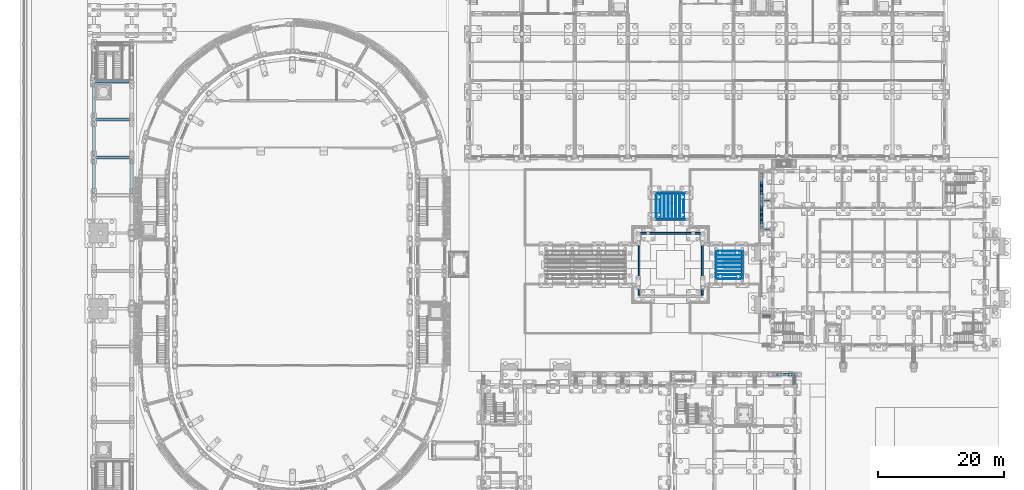
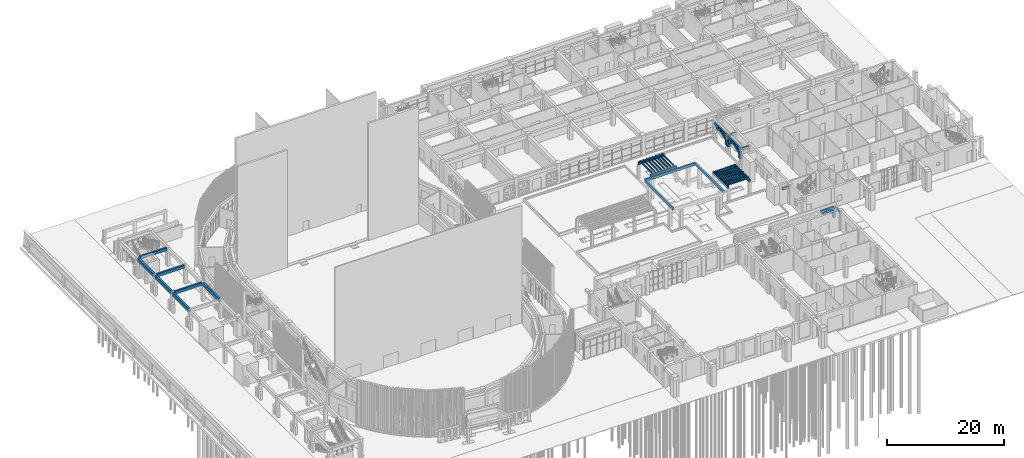
# One storey, part 30 of 112: 30 members, 21 beams.
"""IFC4 building model written with IfcOpenShell, lengths in metres."""

from ifc_helpers import new_model, si_unit, direction, frame, origin, origin_2d, place, context, subcontext, project, spatial, rectangle, extrude, material, material_profile, profile_set, type_object, element, save


model = new_model("IFC4")

# Units and contexts
model_context = context("Model", 3, precision=1e-05, world=origin(), true_north=direction((0.0, 1.0)))
body_context = subcontext(model_context, "Body", "Model", "MODEL_VIEW")
ifc_project = project(units=[si_unit("LENGTHUNIT", "METRE"), si_unit("AREAUNIT", "SQUARE_METRE"), si_unit("VOLUMEUNIT", "CUBIC_METRE"), si_unit("PLANEANGLEUNIT", "RADIAN"), si_unit("MASSUNIT", "GRAM", prefix="KILO")], contexts=[model_context])

# Site, building, storey
site_placement = place(None, origin())
site = spatial("IfcSite", under=ifc_project, at=site_placement, CompositionType="ELEMENT")
building_placement = place(site_placement, origin())
building = spatial("IfcBuilding", under=site, at=building_placement, Name="Wasatch Bagh Community Centre", CompositionType="ELEMENT")
storey_placement = place(building_placement, origin())
storey = spatial("IfcBuildingStorey", under=building, at=storey_placement, Name="L00", CompositionType="ELEMENT", Elevation=0.0)

# Beams
ifc_material_1 = material(Name="Concrete C35", Category="concrete")
ifc_material_profile_1 = material_profile(ifc_material_1, rectangle(XDim=0.300048828125, YDim=0.5, at=origin_2d()), Name="RC 300x500")
ifc_profile_set_1 = profile_set([ifc_material_profile_1], Name="Concrete C35")
beam_type_1 = type_object("IfcBeamType", Name="CL-B1", PredefinedType="BEAM", material=ifc_profile_set_1)
beam_1_placement = place(storey_placement, frame((112.77490234375, 33.550048828125, 3.60009765625), z_axis=(1.0, 0.0, 0.0), x_axis=(0.0, 1.0, 0.0)))
element("IfcBeam", 1, at=beam_1_placement, inside=storey, type_object=beam_type_1, Name="CL-B1 arcade edge beam KW 4", PredefinedType="BEAM", context=body_context, shape_type="SweptSolid", body=[
    extrude(rectangle(XDim=0.300048828125, YDim=0.5, at=origin_2d()), origin(), (0.0, 0.0, 1.0), 2.7001953125),
])
beam_2_placement = place(storey_placement, frame((110.449951171875, 56.824951171875, 3.60009765625), z_axis=(0.0, 1.0, 0.0), x_axis=(-1.0, 0.0, 0.0)))
element("IfcBeam", 2, at=beam_2_placement, inside=storey, type_object=beam_type_1, Name="CL-B1 arcade edge beam SH 1", PredefinedType="BEAM", context=body_context, shape_type="SweptSolid", body=[
    extrude(rectangle(XDim=0.300048828125, YDim=0.5, at=origin_2d()), origin(), (0.0, 0.0, 1.0), 4.150146484375),
])
beam_3_placement = place(storey_placement, frame((110.449951171875, 61.425048828125, 3.60009765625), z_axis=(0.0, 1.0, 0.0), x_axis=(-1.0, 0.0, 0.0)))
element("IfcBeam", 3, at=beam_3_placement, inside=storey, type_object=beam_type_1, Name="CL-B1 arcade edge beam SH 2", PredefinedType="BEAM", context=body_context, shape_type="SweptSolid", body=[
    extrude(rectangle(XDim=0.300048828125, YDim=0.5, at=origin_2d()), origin(), (0.0, 0.0, 1.0), 4.14990234375),
])
ifc_material_profile_2 = material_profile(ifc_material_1, rectangle(XDim=0.25, YDim=0.449951171875, at=origin_2d()), Name="RC 250x450")
ifc_profile_set_2 = profile_set([ifc_material_profile_2], Name="Concrete C35")
beam_type_2 = type_object("IfcBeamType", Name="CL-B2", PredefinedType="BEAM", material=ifc_profile_set_2)
beam_4_placement = place(storey_placement, frame((115.699951171875, 32.0, 3.625), z_axis=(0.0, 1.0, 0.0), x_axis=(-1.0, 0.0, 0.0)))
element("IfcBeam", 4, at=beam_4_placement, inside=storey, type_object=beam_type_2, Name="CL-B2 arcade cross beam KW 3", PredefinedType="BEAM", context=body_context, shape_type="SweptSolid", body=[
    extrude(rectangle(XDim=0.25, YDim=0.449951171875, at=origin_2d()), origin(), (0.0, 0.0, 1.0), 1.39990234375),
])
for number, where, z_axis, x_axis, name in (
    (5, (111.89990234375, 42.800048828125, 3.625), (-1.0, 0.0, 0.0), (0.0, -1.0, 0.0), "CL-B2 arcade cross beam SH 2"),
    (6, (111.89990234375, 56.60009765625, 3.625), (-1.0, 0.0, 0.0), (0.0, -1.0, 0.0), "CL-B2 arcade cross beam SH 5"),
    (7, (111.89990234375, 61.199951171875, 3.625), (-1.0, 0.0, 0.0), (0.0, -1.0, 0.0), "CL-B2 arcade cross beam SH 6"),
):
    element("IfcBeam", number, at=place(storey_placement, frame(where, z_axis=z_axis, x_axis=x_axis)), inside=storey, type_object=beam_type_2, Name=name, PredefinedType="BEAM", context=body_context, shape_type="SweptSolid", body=[
        extrude(rectangle(XDim=0.25, YDim=0.449951171875, at=origin_2d()), origin(), (0.0, 0.0, 1.0), 1.2998046875),
    ])

# Members
ifc_material_2 = material(Name="Concrete C40", Category="concrete")
ifc_material_profile_3 = material_profile(ifc_material_2, rectangle(XDim=0.5, YDim=0.5, at=origin_2d()), Name="RC 500x500")
ifc_profile_set_3 = profile_set([ifc_material_profile_3], Name="Concrete C40")
member_type_1 = type_object("IfcMemberType", Name="CL-R1", PredefinedType="MEMBER", material=ifc_profile_set_3)
for number, where, z_axis, x_axis, name in (
    (8, (113.227294921875, 33.550048828125, 3.01171875), (0.890630351015, 0.0, 0.454728026243), (0.0, 1.0, 0.0), "CL-R1 arch rib KW 4.3"),
    (9, (113.90234375, 33.550048828125, 3.583740234375), (0.890630351015, 0.0, -0.454728026243), (0.0, 1.0, 0.0), "CL-R1 arch rib KW 4.4"),
):
    element("IfcMember", number, at=place(storey_placement, frame(where, z_axis=z_axis, x_axis=x_axis)), inside=storey, type_object=member_type_1, Name=name, PredefinedType="MEMBER", context=body_context, shape_type="SweptSolid", body=[
        extrude(rectangle(XDim=0.5, YDim=0.5, at=origin_2d()), origin(), (0.0, 0.0, 1.0), 1.258056640625),
    ])
member_1_placement = place(storey_placement, frame((114.60693359375, 33.550048828125, 3.2841796875), z_axis=(0.772393099165, 0.0, -0.635144786929), x_axis=(0.0, 1.0, 0.0)))
element("IfcMember", 10, at=member_1_placement, inside=storey, type_object=member_type_1, Name="CL-R1 arch rib KW 4.5", PredefinedType="MEMBER", context=body_context, shape_type="SweptSolid", body=[
    extrude(rectangle(XDim=0.5, YDim=0.5, at=origin_2d()), origin(), (0.0, 0.0, 1.0), 1.232666015625),
])
member_2_placement = place(storey_placement, frame((115.332763671875, 33.550048828125, 2.90771484375), z_axis=(0.133268468573, 0.0, -0.991079974212), x_axis=(0.0, 1.0, 0.0)))
element("IfcMember", 11, at=member_2_placement, inside=storey, type_object=member_type_1, Name="CL-R1 arch rib KW 4.6", PredefinedType="MEMBER", context=body_context, shape_type="SweptSolid", body=[
    extrude(rectangle(XDim=0.5, YDim=0.5, at=origin_2d()), origin(), (0.0, 0.0, 1.0), 1.317138671875),
])
member_3_placement = place(storey_placement, frame((110.449951171875, 56.7744140625, 1.605224609375), z_axis=(0.0, 0.202550853272, 0.979271745655), x_axis=(-1.0, 0.0, 0.0)))
element("IfcMember", 12, at=member_3_placement, inside=storey, type_object=member_type_1, Name="CL-R1 arch rib SH 1.1", PredefinedType="MEMBER", context=body_context, shape_type="SweptSolid", body=[
    extrude(rectangle(XDim=0.5, YDim=0.5, at=origin_2d()), origin(), (0.0, 0.0, 1.0), 1.3271484375),
])
member_4_placement = place(storey_placement, frame((110.449951171875, 56.77197265625, 2.5419921875), z_axis=(0.0, 0.881738582439, 0.471738351461), x_axis=(-1.0, 0.0, 0.0)))
element("IfcMember", 13, at=member_4_placement, inside=storey, type_object=member_type_1, Name="CL-R1 arch rib SH 1.2", PredefinedType="MEMBER", context=body_context, shape_type="SweptSolid", body=[
    extrude(rectangle(XDim=0.5, YDim=0.5, at=origin_2d()), origin(), (0.0, 0.0, 1.0), 1.48681640625),
])
for number, where, z_axis, x_axis, name in (
    (14, (110.449951171875, 57.625244140625, 3.046630859375), (0.0, 0.949019888554, 0.315216197441), (-1.0, 0.0, 0.0), "CL-R1 arch rib SH 1.3"),
    (15, (110.449951171875, 58.662841796875, 3.548828125), (0.0, 0.949019888554, -0.315216197441), (-1.0, 0.0, 0.0), "CL-R1 arch rib SH 1.4"),
):
    element("IfcMember", number, at=place(storey_placement, frame(where, z_axis=z_axis, x_axis=x_axis)), inside=storey, type_object=member_type_1, Name=name, PredefinedType="MEMBER", context=body_context, shape_type="SweptSolid", body=[
        extrude(rectangle(XDim=0.5, YDim=0.5, at=origin_2d()), origin(), (0.0, 0.0, 1.0), 1.59326171875),
    ])
member_5_placement = place(storey_placement, frame((110.449951171875, 59.717041015625, 3.243408203125), z_axis=(0.0, 0.881738582439, -0.471738351461), x_axis=(-1.0, 0.0, 0.0)))
element("IfcMember", 16, at=member_5_placement, inside=storey, type_object=member_type_1, Name="CL-R1 arch rib SH 1.5", PredefinedType="MEMBER", context=body_context, shape_type="SweptSolid", body=[
    extrude(rectangle(XDim=0.5, YDim=0.5, at=origin_2d()), origin(), (0.0, 0.0, 1.0), 1.48681640625),
])
for number, where, z_axis, x_axis, name in (
    (17, (110.449951171875, 60.7568359375, 2.90478515625), (0.0, 0.202550853272, -0.979271745655), (-1.0, 0.0, 0.0), "CL-R1 arch rib SH 1.6"),
    (18, (110.449951171875, 61.374267578125, 1.605224609375), (0.0, 0.202550853272, 0.979271745655), (-1.0, 0.0, 0.0), "CL-R1 arch rib SH 2.1"),
):
    element("IfcMember", number, at=place(storey_placement, frame(where, z_axis=z_axis, x_axis=x_axis)), inside=storey, type_object=member_type_1, Name=name, PredefinedType="MEMBER", context=body_context, shape_type="SweptSolid", body=[
        extrude(rectangle(XDim=0.5, YDim=0.5, at=origin_2d()), origin(), (0.0, 0.0, 1.0), 1.3271484375),
    ])
member_6_placement = place(storey_placement, frame((110.449951171875, 61.3720703125, 2.5419921875), z_axis=(0.0, 0.881702034553, 0.471806657715), x_axis=(-1.0, 0.0, 0.0)))
element("IfcMember", 19, at=member_6_placement, inside=storey, type_object=member_type_1, Name="CL-R1 arch rib SH 2.2", PredefinedType="MEMBER", context=body_context, shape_type="SweptSolid", body=[
    extrude(rectangle(XDim=0.5, YDim=0.5, at=origin_2d()), origin(), (0.0, 0.0, 1.0), 1.486572265625),
])
for number, where, z_axis, x_axis, name in (
    (20, (110.449951171875, 62.225341796875, 3.046630859375), (0.0, 0.949019888554, 0.315216197441), (-1.0, 0.0, 0.0), "CL-R1 arch rib SH 2.3"),
    (21, (110.449951171875, 63.2626953125, 3.548828125), (0.0, 0.949019888554, -0.315216197441), (-1.0, 0.0, 0.0), "CL-R1 arch rib SH 2.4"),
):
    element("IfcMember", number, at=place(storey_placement, frame(where, z_axis=z_axis, x_axis=x_axis)), inside=storey, type_object=member_type_1, Name=name, PredefinedType="MEMBER", context=body_context, shape_type="SweptSolid", body=[
        extrude(rectangle(XDim=0.5, YDim=0.5, at=origin_2d()), origin(), (0.0, 0.0, 1.0), 1.59326171875),
    ])

# Beams
ifc_material_profile_4 = material_profile(ifc_material_1, rectangle(XDim=0.39990234375, YDim=0.699951171875, at=origin_2d()), Name="RC 400x700")
ifc_profile_set_4 = profile_set([ifc_material_profile_4], Name="Concrete C35")
beam_type_3 = type_object("IfcBeamType", Name="CT-B1", PredefinedType="BEAM", material=ifc_profile_set_4)
for number, where, z_axis, x_axis, name in (
    (22, (4.5, 62.25, 3.60009765625), (0.0, 1.0, 0.0), (-1.0, 0.0, 0.0), "CT.beam.L00.009"),
    (23, (4.5, 68.25, 3.60009765625), (0.0, 1.0, 0.0), (-1.0, 0.0, 0.0), "CT.beam.L00.010"),
    (24, (4.5, 74.25, 3.60009765625), (0.0, 1.0, 0.0), (-1.0, 0.0, 0.0), "CT.beam.L00.011"),
    (25, (10.5, 62.25, 3.60009765625), (0.0, 1.0, 0.0), (-1.0, 0.0, 0.0), "CT.beam.L00.021"),
):
    element("IfcBeam", number, at=place(storey_placement, frame(where, z_axis=z_axis, x_axis=x_axis)), inside=storey, type_object=beam_type_3, Name=name, PredefinedType="BEAM", context=body_context, shape_type="SweptSolid", body=[
        extrude(rectangle(XDim=0.39990234375, YDim=0.699951171875, at=origin_2d()), origin(), (0.0, 0.0, 1.0), 5.5),
    ])
ifc_material_profile_5 = material_profile(ifc_material_1, rectangle(XDim=0.35009765625, YDim=0.60009765625, at=origin_2d()), Name="RC 350x600")
ifc_profile_set_5 = profile_set([ifc_material_profile_5], Name="Concrete C35")
beam_type_4 = type_object("IfcBeamType", Name="CT-B2", PredefinedType="BEAM", material=ifc_profile_set_5)
for number, where, z_axis, x_axis, name in (
    (26, (4.75, 68.0, 3.64990234375), (1.0, 0.0, 0.0), (0.0, 1.0, 0.0), "CT.beam.L00.X035"),
    (27, (4.75, 74.0, 3.64990234375), (1.0, 0.0, 0.0), (0.0, 1.0, 0.0), "CT.beam.L00.X036"),
    (28, (4.75, 80.0, 3.64990234375), (1.0, 0.0, 0.0), (0.0, 1.0, 0.0), "CT.beam.L00.X037"),
):
    element("IfcBeam", number, at=place(storey_placement, frame(where, z_axis=z_axis, x_axis=x_axis)), inside=storey, type_object=beam_type_4, Name=name, PredefinedType="BEAM", context=body_context, shape_type="SweptSolid", body=[
        extrude(rectangle(XDim=0.35009765625, YDim=0.60009765625, at=origin_2d()), origin(), (0.0, 0.0, 1.0), 5.5),
    ])
ifc_material_profile_6 = material_profile(ifc_material_1, rectangle(XDim=0.300048828125, YDim=0.5, at=origin_2d()), Name="RC 300x500")
ifc_profile_set_6 = profile_set([ifc_material_profile_6], Name="Concrete C35")
beam_type_5 = type_object("IfcBeamType", Name="SITE-B1", PredefinedType="BEAM", material=ifc_profile_set_6)
beam_5_placement = place(storey_placement, frame((91.0, 56.0, 4.25), z_axis=(1.0, 0.0, 0.0), x_axis=(0.0, 1.0, 0.0)))
element("IfcBeam", 29, at=beam_5_placement, inside=storey, type_object=beam_type_5, Name="Baradari ring beam", PredefinedType="BEAM", context=body_context, shape_type="SweptSolid", body=[
    extrude(rectangle(XDim=0.300048828125, YDim=0.5, at=origin_2d()), origin(), (0.0, 0.0, 1.0), 10.0),
])
for number, where, z_axis, x_axis, name in (
    (30, (91.0, 46.14990234375, 4.25), (0.0, 1.0, 0.0), (-1.0, 0.0, 0.0), "Baradari ring beam"),
    (31, (101.0, 46.14990234375, 4.25), (0.0, 1.0, 0.0), (-1.0, 0.0, 0.0), "Baradari ring beam"),
):
    element("IfcBeam", number, at=place(storey_placement, frame(where, z_axis=z_axis, x_axis=x_axis)), inside=storey, type_object=beam_type_5, Name=name, PredefinedType="BEAM", context=body_context, shape_type="SweptSolid", body=[
        extrude(rectangle(XDim=0.300048828125, YDim=0.5, at=origin_2d()), origin(), (0.0, 0.0, 1.0), 9.7001953125),
    ])
for number, where, z_axis, x_axis, name in (
    (32, (103.199951171875, 48.449951171875, 3.050048828125), (0.0, 1.0, 0.0), (-1.0, 0.0, 0.0), "Pergola beam"),
    (33, (107.39990234375, 48.449951171875, 3.050048828125), (0.0, 1.0, 0.0), (-1.0, 0.0, 0.0), "Pergola beam"),
    (34, (93.449951171875, 58.199951171875, 3.050048828125), (1.0, 0.0, 0.0), (0.0, 1.0, 0.0), "Pergola beam"),
    (35, (93.449951171875, 62.39990234375, 3.050048828125), (1.0, 0.0, 0.0), (0.0, 1.0, 0.0), "Pergola beam"),
):
    element("IfcBeam", number, at=place(storey_placement, frame(where, z_axis=z_axis, x_axis=x_axis)), inside=storey, type_object=beam_type_5, Name=name, PredefinedType="BEAM", context=body_context, shape_type="SweptSolid", body=[
        extrude(rectangle(XDim=0.300048828125, YDim=0.5, at=origin_2d()), origin(), (0.0, 0.0, 1.0), 5.10009765625),
    ])

# Members
ifc_material_3 = material(Name="Glued laminated timber GL24h", Category="wood")
ifc_material_profile_7 = material_profile(ifc_material_3, rectangle(XDim=0.139892578125, YDim=0.300048828125, at=origin_2d()), Name="GL 140x300")
ifc_profile_set_7 = profile_set([ifc_material_profile_7], Name="Glued laminated timber GL24h")
member_type_2 = type_object("IfcMemberType", Name="SITE-M1", PredefinedType="MEMBER", material=ifc_profile_set_7)
for number, where, z_axis, x_axis, name in (
    (36, (103.199951171875, 48.75, 3.449951171875), (1.0, 0.0, 0.0), (0.0, 1.0, 0.0), "Pergola slat"),
    (37, (103.199951171875, 49.3701171875, 3.449951171875), (1.0, 0.0, 0.0), (0.0, 1.0, 0.0), "Pergola slat"),
    (38, (103.199951171875, 49.989990234375, 3.449951171875), (1.0, 0.0, 0.0), (0.0, 1.0, 0.0), "Pergola slat"),
    (39, (103.199951171875, 50.610107421875, 3.449951171875), (1.0, 0.0, 0.0), (0.0, 1.0, 0.0), "Pergola slat"),
    (40, (103.199951171875, 51.22998046875, 3.449951171875), (1.0, 0.0, 0.0), (0.0, 1.0, 0.0), "Pergola slat"),
    (41, (103.199951171875, 51.85009765625, 3.449951171875), (1.0, 0.0, 0.0), (0.0, 1.0, 0.0), "Pergola slat"),
    (42, (103.199951171875, 52.469970703125, 3.449951171875), (1.0, 0.0, 0.0), (0.0, 1.0, 0.0), "Pergola slat"),
    (43, (103.199951171875, 53.090087890625, 3.449951171875), (1.0, 0.0, 0.0), (0.0, 1.0, 0.0), "Pergola slat"),
    (44, (93.75, 58.199951171875, 3.449951171875), (0.0, 1.0, 0.0), (-1.0, 0.0, 0.0), "Pergola slat"),
    (45, (94.3701171875, 58.199951171875, 3.449951171875), (0.0, 1.0, 0.0), (-1.0, 0.0, 0.0), "Pergola slat"),
    (46, (94.989990234375, 58.199951171875, 3.449951171875), (0.0, 1.0, 0.0), (-1.0, 0.0, 0.0), "Pergola slat"),
    (47, (95.610107421875, 58.199951171875, 3.449951171875), (0.0, 1.0, 0.0), (-1.0, 0.0, 0.0), "Pergola slat"),
    (48, (96.22998046875, 58.199951171875, 3.449951171875), (0.0, 1.0, 0.0), (-1.0, 0.0, 0.0), "Pergola slat"),
    (49, (96.85009765625, 58.199951171875, 3.449951171875), (0.0, 1.0, 0.0), (-1.0, 0.0, 0.0), "Pergola slat"),
    (50, (97.469970703125, 58.199951171875, 3.449951171875), (0.0, 1.0, 0.0), (-1.0, 0.0, 0.0), "Pergola slat"),
    (51, (98.090087890625, 58.199951171875, 3.449951171875), (0.0, 1.0, 0.0), (-1.0, 0.0, 0.0), "Pergola slat"),
):
    element("IfcMember", number, at=place(storey_placement, frame(where, z_axis=z_axis, x_axis=x_axis)), inside=storey, type_object=member_type_2, Name=name, PredefinedType="MEMBER", context=body_context, shape_type="SweptSolid", body=[
        extrude(rectangle(XDim=0.139892578125, YDim=0.300048828125, at=origin_2d()), origin(), (0.0, 0.0, 1.0), 4.199951171875),
    ])

save(model, "model.ifc")
